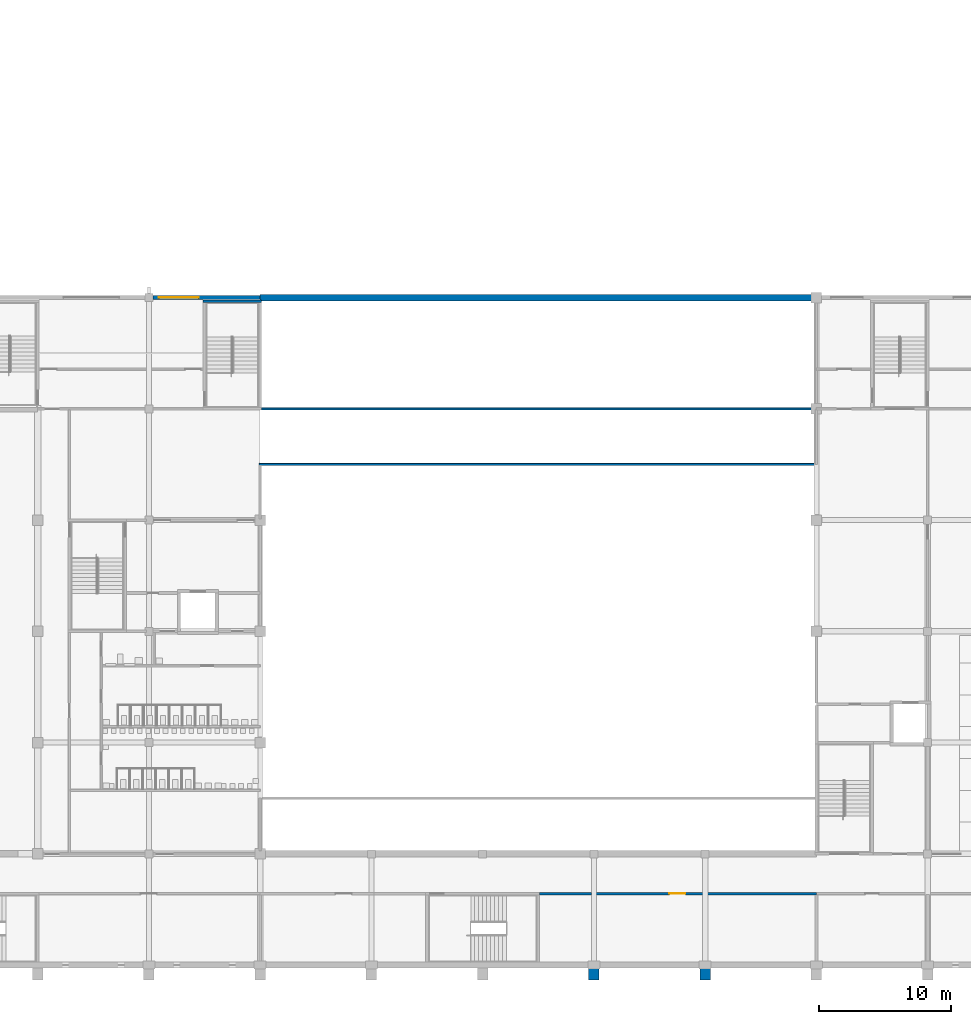
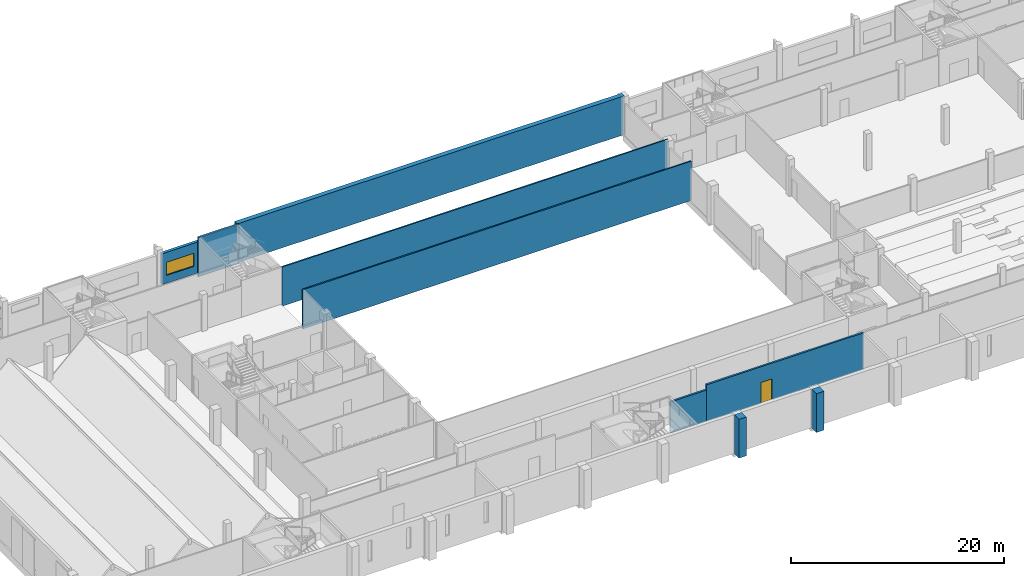
# One storey, part 20 of 56: 9 walls, 1 door, 1 window, 2 openings.
"""IFC4 building model written with IfcOpenShell, lengths in metres."""

from ifc_helpers import new_model, si_unit, direction, frame, frame_2d, origin, place, context, subcontext, project, spatial, rectangle, extrude, material, layer, layer_set, type_object, element, fill, save


model = new_model("IFC4")

# Units and contexts
model_context = context("Model", 3, precision=1e-05, world=origin(), true_north=direction((0.0, 1.0)))
body_context = subcontext(model_context, "Body", "Model", "MODEL_VIEW")
ifc_project = project(units=[si_unit("LENGTHUNIT", "METRE"), si_unit("AREAUNIT", "SQUARE_METRE"), si_unit("VOLUMEUNIT", "CUBIC_METRE"), si_unit("PLANEANGLEUNIT", "RADIAN"), si_unit("MASSUNIT", "GRAM", prefix="KILO")], contexts=[model_context])

# Site, building, storey
site_placement = place(None, origin())
site = spatial("IfcSite", under=ifc_project, at=site_placement, CompositionType="ELEMENT")
building_placement = place(site_placement, origin())
building = spatial("IfcBuilding", under=site, at=building_placement, Name="Rulbaag Community and Learning Centre", CompositionType="ELEMENT")
storey_placement = place(building_placement, frame((0.0, 0.0, 9.89990234375)))
storey = spatial("IfcBuildingStorey", under=building, at=storey_placement, Name="L02", CompositionType="ELEMENT", Elevation=9.89990234375)

# Walls
ifc_material_1 = material(Name="Concrete M40", Category="concrete")
ifc_layer_1 = layer(ifc_material_1, 0.800048828125)
ifc_layer_set_1 = layer_set([ifc_layer_1], Name="EW-BTR")
wall_type_1 = type_object("IfcWallType", Name="EW-BTR", PredefinedType="SOLIDWALL", material=ifc_layer_set_1)
for number, where, z_axis, x_axis, name in (
    (1, (67.199951171875, -0.22509765625, -0.25), (0.0, 0.0, 1.0), (0.0, -1.0, 0.0), "Buttress pier"),
    (2, (75.60009765625, -0.22509765625, -0.25), (0.0, 0.0, 1.0), (0.0, -1.0, 0.0), "Buttress pier"),
):
    element("IfcWall", number, at=place(storey_placement, frame(where, z_axis=z_axis, x_axis=x_axis)), inside=storey, type_object=wall_type_1, Name=name, PredefinedType="SOLIDWALL", context=body_context, shape_type="SweptSolid", body=[
        extrude(rectangle(XDim=0.89990234375, YDim=0.800048828125, at=frame_2d((0.449951171875, 0.0))), origin(), (0.0, 0.0, 1.0), 4.4501953125),
    ])

# Wall, opening, window
ifc_layer_2 = layer(ifc_material_1, 0.300048828125)
ifc_layer_set_2 = layer_set([ifc_layer_2], Name="EW-CONC300")
wall_type_2 = type_object("IfcWallType", Name="EW-CONC300", PredefinedType="STANDARD", material=ifc_layer_set_2)
wall_1_placement = place(storey_placement, frame((33.89990234375, 50.39990234375, 0.0), z_axis=(0.0, 0.0, 1.0), x_axis=(1.0, 0.0, 0.0)))
wall_1 = element("IfcWall", 3, at=wall_1_placement, inside=storey, type_object=wall_type_2, Name="Board-marked concrete cladding wall AN", PredefinedType="STANDARD", context=body_context, shape_type="SweptSolid", body=[
    extrude(rectangle(XDim=8.10009765625, YDim=0.300048828125, at=frame_2d((4.050048828125, 0.0))), origin(), (0.0, 0.0, 1.0), 3.550048828125),
])
opening_1_placement = place(wall_1_placement, frame((0.449951171875, 0.0, 0.89990234375)))
opening_1 = element("IfcOpeningElement", 4, at=opening_1_placement, cuts=wall_1, Name="Opening WN3", PredefinedType="OPENING", context=body_context, shape_type="SweptSolid", body=[
    extrude(rectangle(XDim=3.0, YDim=1.5, at=frame_2d((1.5, 0.75))), frame((0.0, 0.159912109375, 0.0), z_axis=(0.0, -1.0, 0.0), x_axis=(1.0, 0.0, 0.0)), (0.0, 0.0, 1.0), 0.320068359375),
])
ifc_material_2 = material(Name="Aluminium", Category="aluminium")
window_type = type_object("IfcWindowType", Name="WN-30", PartitioningType="TRIPLE_PANEL_VERTICAL", PredefinedType="WINDOW", material=ifc_material_2)
window_placement = place(opening_1_placement, origin())
window = element("IfcWindow", 5, at=window_placement, inside=storey, type_object=window_type, Name="Window WN3", OverallHeight=1.5, OverallWidth=3.0, PartitioningType="SINGLE_PANEL", PredefinedType="WINDOW", context=body_context, shape_type="SweptSolid", body=[
    extrude(rectangle(XDim=3.0, YDim=1.5, at=frame_2d((1.5, 0.75))), frame((0.0, 0.030029296875, 0.0), z_axis=(0.0, -1.0, 0.0), x_axis=(1.0, 0.0, 0.0)), (0.0, 0.0, 1.0), 0.06005859375),
])
fill(opening_1, window)

# Wall
ifc_material_3 = material(Name="Concrete blockwork", Category="masonry")
ifc_layer_3 = layer(ifc_material_3, 0.199951171875)
ifc_layer_set_3 = layer_set([ifc_layer_3], Name="FW-200 FIRE WALL 200")
wall_type_3 = type_object("IfcWallType", Name="FW-200 FIRE WALL 200", PredefinedType="SOLIDWALL", material=ifc_layer_set_3)
wall_2_placement = place(storey_placement, frame((63.10009765625, 5.39990234375, 0.0), z_axis=(0.0, 0.0, 1.0), x_axis=(1.0, 0.0, 0.0)))
element("IfcWall", 6, at=wall_2_placement, inside=storey, type_object=wall_type_3, Name="Fire wall L02 4", PredefinedType="SOLIDWALL", context=body_context, shape_type="SweptSolid", body=[
    extrude(rectangle(XDim=3.89990234375, YDim=0.199951171875, at=frame_2d((1.949951171875, 0.0))), origin(), (0.0, 0.0, 1.0), 3.60009765625),
])

# Wall, opening, door
wall_3_placement = place(storey_placement, frame((67.0, 5.39990234375, 0.0), z_axis=(0.0, 0.0, 1.0), x_axis=(1.0, 0.0, 0.0)))
wall_3 = element("IfcWall", 7, at=wall_3_placement, inside=storey, type_object=wall_type_3, Name="Fire wall L02 4.2", PredefinedType="SOLIDWALL", context=body_context, shape_type="SweptSolid", body=[
    extrude(rectangle(XDim=17.0, YDim=0.199951171875, at=frame_2d((8.5, 0.0))), origin(), (0.0, 0.0, 1.0), 4.2001953125),
])
opening_2_placement = place(wall_3_placement, frame((5.89990234375, 0.0, 0.0)))
opening_2 = element("IfcOpeningElement", 8, at=opening_2_placement, cuts=wall_3, Name="Opening L02-D043", PredefinedType="OPENING", context=body_context, shape_type="SweptSolid", body=[
    extrude(rectangle(XDim=1.199951171875, YDim=2.39990234375, at=frame_2d((0.60009765625, 1.199951171875))), frame((0.0, 0.10986328125, 0.0), z_axis=(0.0, -1.0, 0.0), x_axis=(1.0, 0.0, 0.0)), (0.0, 0.0, 1.0), 0.219970703125),
])
ifc_material_4 = material(Name="Galvanised steel", Category="steel")
door_type = type_object("IfcDoorType", Name="DP-1200 PLANT ROOM DOOR 1200 x 2400", OperationType="SINGLE_SWING_LEFT", PredefinedType="DOOR", material=ifc_material_4)
door_placement = place(opening_2_placement, origin())
door = element("IfcDoor", 9, at=door_placement, inside=storey, type_object=door_type, Name="Door L02-D043", OperationType="SINGLE_SWING_LEFT", OverallHeight=2.39990234375, OverallWidth=1.199951171875, PredefinedType="DOOR", context=body_context, shape_type="SweptSolid", body=[
    extrude(rectangle(XDim=1.199951171875, YDim=2.39990234375, at=frame_2d((0.60009765625, 1.199951171875))), frame((0.0, 0.02490234375, 0.0), z_axis=(0.0, -1.0, 0.0), x_axis=(1.0, 0.0, 0.0)), (0.0, 0.0, 1.0), 0.050048828125),
])
fill(opening_2, door)

# Walls
ifc_layer_4 = layer(ifc_material_3, 0.14990234375)
ifc_layer_set_4 = layer_set([ifc_layer_4], Name="IP-150 PARTITION 150")
wall_type_4 = type_object("IfcWallType", Name="IP-150 PARTITION 150", PredefinedType="PARTITIONING", material=ifc_layer_set_4)
wall_4_placement = place(storey_placement, frame((41.925048828125, 37.800048828125, -0.2998046875), z_axis=(0.0, 0.0, 1.0), x_axis=(1.0, 0.0, 0.0)))
element("IfcWall", 10, at=wall_4_placement, inside=storey, type_object=wall_type_4, Name="Partition L02 27", PredefinedType="PARTITIONING", context=body_context, shape_type="SweptSolid", body=[
    extrude(rectangle(XDim=42.14990234375, YDim=0.14990234375, at=frame_2d((21.074951171875, 0.0))), origin(), (0.0, 0.0, 1.0), 4.5),
])
wall_5_placement = place(storey_placement, frame((42.10009765625, 42.0, -0.2998046875), z_axis=(0.0, 0.0, 1.0), x_axis=(1.0, 0.0, 0.0)))
element("IfcWall", 11, at=wall_5_placement, inside=storey, type_object=wall_type_4, Name="Partition L02 29", PredefinedType="PARTITIONING", context=body_context, shape_type="SweptSolid", body=[
    extrude(rectangle(XDim=41.89990234375, YDim=0.14990234375, at=frame_2d((20.949951171875, 0.0))), origin(), (0.0, 0.0, 1.0), 4.5),
])
ifc_layer_5 = layer(ifc_material_1, 0.5)
ifc_layer_set_5 = layer_set([ifc_layer_5], Name="W13 Shear wall 500 Concrete M40")
wall_type_5 = type_object("IfcWallType", Name="W13 Shear wall 500 Concrete M40", PredefinedType="SHEAR", material=ifc_layer_set_5)
wall_6_placement = place(storey_placement, frame((42.0, 50.39990234375, -0.25), z_axis=(0.0, 0.0, 1.0), x_axis=(1.0, 0.0, 0.0)))
element("IfcWall", 12, at=wall_6_placement, inside=storey, type_object=wall_type_5, Name="WL-XMN-L02", PredefinedType="SHEAR", context=body_context, shape_type="SweptSolid", body=[
    extrude(rectangle(XDim=42.0, YDim=0.5, at=frame_2d((21.0, 0.0))), origin(), (0.0, 0.0, 1.0), 4.4501953125),
])
ifc_layer_6 = layer(ifc_material_1, 0.199951171875)
ifc_layer_set_6 = layer_set([ifc_layer_6], Name="WSE Stair enclosure wall 200 Concrete M40")
wall_type_6 = type_object("IfcWallType", Name="WSE Stair enclosure wall 200 Concrete M40", PredefinedType="SHEAR", material=ifc_layer_set_6)
wall_7_placement = place(storey_placement, frame((37.699951171875, 50.125, -0.2998046875), z_axis=(0.0, 0.0, 1.0), x_axis=(1.0, 0.0, 0.0)))
element("IfcWall", 13, at=wall_7_placement, inside=storey, type_object=wall_type_6, Name="Stair enclosure wall SH5 N L02", PredefinedType="SHEAR", context=body_context, shape_type="SweptSolid", body=[
    extrude(rectangle(XDim=4.400146484375, YDim=0.199951171875, at=frame_2d((2.2001953125, 0.0))), origin(), (0.0, 0.0, 1.0), 4.5),
])

save(model, "model.ifc")
